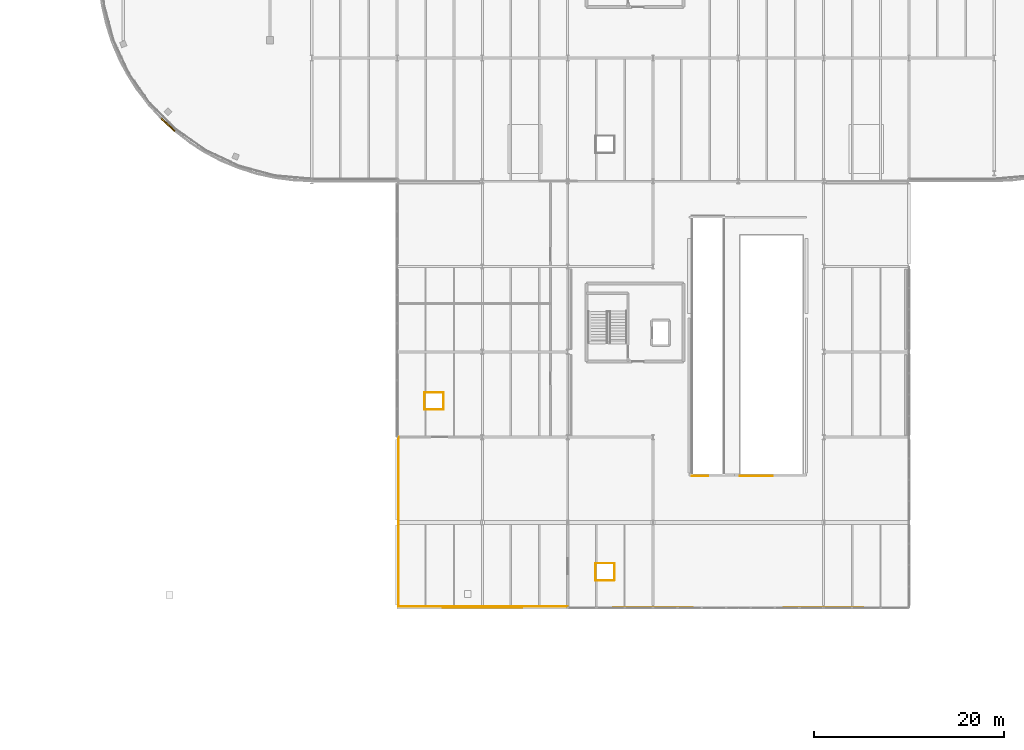
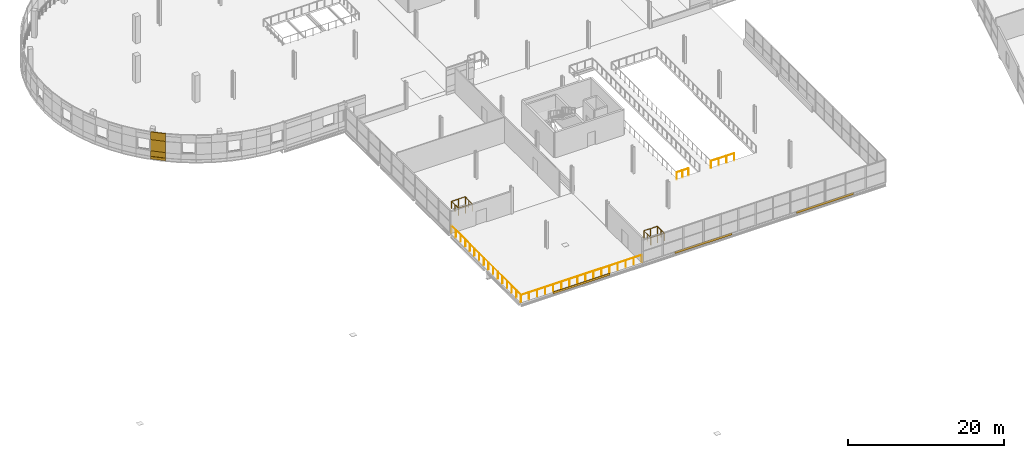
# One storey, part 76 of 88: 7 coverings, 7 railings.
"""IFC4 building model written with IfcOpenShell, lengths in metres."""

from ifc_helpers import new_model, si_unit, direction, frame, origin, origin_2d, place, context, subcontext, project, spatial, rectangle, circle, extrude, material, layer, layer_set, type_object, element, save


model = new_model("IFC4")

# Units and contexts
model_context = context("Model", 3, precision=1e-05, world=origin(), true_north=direction((0.0, 1.0)))
body_context = subcontext(model_context, "Body", "Model", "MODEL_VIEW")
ifc_project = project(units=[si_unit("LENGTHUNIT", "METRE"), si_unit("AREAUNIT", "SQUARE_METRE"), si_unit("VOLUMEUNIT", "CUBIC_METRE"), si_unit("PLANEANGLEUNIT", "RADIAN"), si_unit("MASSUNIT", "GRAM", prefix="KILO")], contexts=[model_context])

# Site, building, storey
site_placement = place(None, origin())
site = spatial("IfcSite", under=ifc_project, at=site_placement, CompositionType="ELEMENT")
building_placement = place(site_placement, origin())
building = spatial("IfcBuilding", under=site, at=building_placement, Name="Deido Ridge Mobility Hub", CompositionType="ELEMENT")
storey_placement = place(building_placement, frame((0.0, 0.0, 16.800048828125)))
storey = spatial("IfcBuildingStorey", under=building, at=storey_placement, Name="L04", CompositionType="ELEMENT", Elevation=16.800048828125)

# Coverings
ifc_material_1 = material(Name="Powder-coated aluminium cladding EN AW-3003", Category="aluminium")
ifc_layer_1 = layer(ifc_material_1, 0.06494140625, Name="Powder-coated aluminium cladding EN AW-3003")
ifc_layer_set_1 = layer_set([ifc_layer_1], Name="Powder-coated aluminium cladding EN AW-3003")
covering_type_1 = type_object("IfcCoveringType", Name="COV-ALU-CLAD-65", PredefinedType="CLADDING", material=ifc_layer_set_1)
for number, where, z_axis, x_axis, name in (
    (1, (63.0, 36.02001953125, -0.27001953125), (0.0, 0.0, 1.0), (1.0, 0.0, 0.0), "Sports deck fascia cladding AC1"),
    (2, (81.0, 36.02001953125, -0.27001953125), (0.0, 0.0, 1.0), (1.0, 0.0, 0.0), "Sports deck fascia cladding AC1"),
    (3, (99.0, 36.02001953125, -0.27001953125), (0.0, 0.0, 1.0), (1.0, 0.0, 0.0), "Sports deck fascia cladding AC1"),
):
    element("IfcCovering", number, at=place(storey_placement, frame(where, z_axis=z_axis, x_axis=x_axis)), inside=storey, type_object=covering_type_1, Name=name, PredefinedType="CLADDING", context=body_context, shape_type="SweptSolid", body=[
        extrude(rectangle(XDim=8.39990234375, YDim=0.06494140625, at=origin_2d()), origin(), (0.0, 0.0, 1.0), 0.340087890625),
    ])
ifc_material_2 = material(Name="Fired clay brick masonry", Category="masonry")
ifc_layer_2 = layer(ifc_material_2, 0.114990234375, Name="Fired clay brick masonry")
ifc_layer_set_2 = layer_set([ifc_layer_2], Name="Fired clay brick masonry")
covering_type_2 = type_object("IfcCoveringType", Name="COV-BRK-SCREEN-115", PredefinedType="CLADDING", material=ifc_layer_set_2)
covering_1_placement = place(storey_placement, frame((29.84912109375, 86.9658203125, 0.0), z_axis=(0.0, 0.0, 1.0), x_axis=(0.737289127971, -0.675577339596, 0.0)))
element("IfcCovering", 4, at=covering_1_placement, inside=storey, type_object=covering_type_2, Name="Open brickwork spandrel course BKS1 (L04)", PredefinedType="CLADDING", context=body_context, shape_type="SweptSolid", body=[
    extrude(rectangle(XDim=1.9619140625, YDim=0.125, at=origin_2d()), origin(), (0.0, 0.0, 1.0), 1.25),
])
covering_2_placement = place(storey_placement, frame((29.83056640625, 86.9453125, 0.0), z_axis=(0.0, 0.0, 1.0), x_axis=(0.737289127971, -0.675577339596, 0.0)))
element("IfcCovering", 5, at=covering_2_placement, inside=storey, type_object=covering_type_2, Name="Raised brick relief belt BKS1 (L04)", PredefinedType="CLADDING", context=body_context, shape_type="SweptSolid", body=[
    extrude(rectangle(XDim=1.9619140625, YDim=0.179931640625, at=origin_2d()), origin(), (0.0, 0.0, 1.0), 0.39990234375),
])
covering_3_placement = place(storey_placement, frame((29.84912109375, 86.9658203125, 3.0), z_axis=(0.0, 0.0, 1.0), x_axis=(0.737289127971, -0.675577339596, 0.0)))
element("IfcCovering", 6, at=covering_3_placement, inside=storey, type_object=covering_type_2, Name="Open brickwork lintel course BKS1 (L04)", PredefinedType="CLADDING", context=body_context, shape_type="SweptSolid", body=[
    extrude(rectangle(XDim=1.9619140625, YDim=0.125, at=origin_2d()), origin(), (0.0, 0.0, 1.0), 1.199951171875),
])
covering_4_placement = place(storey_placement, frame((29.84912109375, 86.9658203125, 1.25), z_axis=(0.0, 0.0, 1.0), x_axis=(0.737289127971, -0.675577339596, 0.0)))
element("IfcCovering", 7, at=covering_4_placement, inside=storey, type_object=covering_type_2, Name="Curved raised brickwork pier BKS1 (L04)", PredefinedType="CLADDING", context=body_context, shape_type="SweptSolid", body=[
    extrude(rectangle(XDim=1.9619140625, YDim=0.125, at=origin_2d()), origin(), (0.0, 0.0, 1.0), 1.75),
])

# Railings
ifc_material_3 = material(Name="Galvanised steel work", Category="steel")
railing_type = type_object("IfcRailingType", Name="RL-GRD-EXT-1150", PredefinedType="GUARDRAIL", material=ifc_material_3)
railing_1_placement = place(storey_placement, frame((72.0, 36.14990234375, 0.0)))
element("IfcRailing", 8, at=railing_1_placement, inside=storey, type_object=railing_type, Name="Outdoor sport court perimeter guard GR1", PredefinedType="GUARDRAIL", context=body_context, shape_type="SweptSolid", body=[
    extrude(circle(Radius=0.02392578125, at=origin_2d()), frame((0.0, 0.0, 1.1259765625), z_axis=(-1.0, 0.0, 0.0), x_axis=(0.0, -1.0, 0.0)), (0.0, 0.0, 1.0), 17.85009765625),
    extrude(circle(Radius=0.02392578125, at=origin_2d()), frame((-17.85009765625, 0.0, 1.1259765625), z_axis=(0.0, 1.0, 0.0), x_axis=(-1.0, 0.0, 0.0)), (0.0, 0.0, 1.0), 17.85009765625),
    extrude(circle(Radius=0.02099609375, at=origin_2d()), origin(), (0.0, 0.0, 1.0), 1.101806640625),
    extrude(circle(Radius=0.02099609375, at=origin_2d()), frame((-1.18994140625, 0.0, 0.0)), (0.0, 0.0, 1.0), 1.101806640625),
    extrude(circle(Radius=0.02099609375, at=origin_2d()), frame((-2.380126953125, 0.0, 0.0)), (0.0, 0.0, 1.0), 1.101806640625),
    extrude(circle(Radius=0.02099609375, at=origin_2d()), frame((-3.570068359375, 0.0, 0.0)), (0.0, 0.0, 1.0), 1.101806640625),
    extrude(circle(Radius=0.02099609375, at=origin_2d()), frame((-4.760009765625, 0.0, 0.0)), (0.0, 0.0, 1.0), 1.101806640625),
    extrude(circle(Radius=0.02099609375, at=origin_2d()), frame((-5.949951171875, 0.0, 0.0)), (0.0, 0.0, 1.0), 1.101806640625),
    extrude(circle(Radius=0.02099609375, at=origin_2d()), frame((-7.14013671875, 0.0, 0.0)), (0.0, 0.0, 1.0), 1.101806640625),
    extrude(circle(Radius=0.02099609375, at=origin_2d()), frame((-8.330078125, 0.0, 0.0)), (0.0, 0.0, 1.0), 1.101806640625),
    extrude(circle(Radius=0.02099609375, at=origin_2d()), frame((-9.52001953125, 0.0, 0.0)), (0.0, 0.0, 1.0), 1.101806640625),
    extrude(circle(Radius=0.02099609375, at=origin_2d()), frame((-10.7099609375, 0.0, 0.0)), (0.0, 0.0, 1.0), 1.101806640625),
    extrude(circle(Radius=0.02099609375, at=origin_2d()), frame((-11.900146484375, 0.0, 0.0)), (0.0, 0.0, 1.0), 1.101806640625),
    extrude(circle(Radius=0.02099609375, at=origin_2d()), frame((-13.090087890625, 0.0, 0.0)), (0.0, 0.0, 1.0), 1.101806640625),
    extrude(circle(Radius=0.02099609375, at=origin_2d()), frame((-14.280029296875, 0.0, 0.0)), (0.0, 0.0, 1.0), 1.101806640625),
    extrude(circle(Radius=0.02099609375, at=origin_2d()), frame((-15.469970703125, 0.0, 0.0)), (0.0, 0.0, 1.0), 1.101806640625),
    extrude(circle(Radius=0.02099609375, at=origin_2d()), frame((-16.66015625, 0.0, 0.0)), (0.0, 0.0, 1.0), 1.101806640625),
    extrude(circle(Radius=0.02099609375, at=origin_2d()), frame((-17.85009765625, 0.0, 0.0)), (0.0, 0.0, 1.0), 1.101806640625),
    extrude(circle(Radius=0.02099609375, at=origin_2d()), frame((-17.85009765625, 1.18994140625, 0.0)), (0.0, 0.0, 1.0), 1.101806640625),
    extrude(circle(Radius=0.02099609375, at=origin_2d()), frame((-17.85009765625, 2.380126953125, 0.0)), (0.0, 0.0, 1.0), 1.101806640625),
    extrude(circle(Radius=0.02099609375, at=origin_2d()), frame((-17.85009765625, 3.570068359375, 0.0)), (0.0, 0.0, 1.0), 1.101806640625),
    extrude(circle(Radius=0.02099609375, at=origin_2d()), frame((-17.85009765625, 4.760009765625, 0.0)), (0.0, 0.0, 1.0), 1.101806640625),
    extrude(circle(Radius=0.02099609375, at=origin_2d()), frame((-17.85009765625, 5.949951171875, 0.0)), (0.0, 0.0, 1.0), 1.101806640625),
    extrude(circle(Radius=0.02099609375, at=origin_2d()), frame((-17.85009765625, 7.14013671875, 0.0)), (0.0, 0.0, 1.0), 1.101806640625),
    extrude(circle(Radius=0.02099609375, at=origin_2d()), frame((-17.85009765625, 8.330078125, 0.0)), (0.0, 0.0, 1.0), 1.101806640625),
    extrude(circle(Radius=0.02099609375, at=origin_2d()), frame((-17.85009765625, 9.52001953125, 0.0)), (0.0, 0.0, 1.0), 1.101806640625),
    extrude(circle(Radius=0.02099609375, at=origin_2d()), frame((-17.85009765625, 10.7099609375, 0.0)), (0.0, 0.0, 1.0), 1.101806640625),
    extrude(circle(Radius=0.02099609375, at=origin_2d()), frame((-17.85009765625, 11.900146484375, 0.0)), (0.0, 0.0, 1.0), 1.101806640625),
    extrude(circle(Radius=0.02099609375, at=origin_2d()), frame((-17.85009765625, 13.090087890625, 0.0)), (0.0, 0.0, 1.0), 1.101806640625),
    extrude(circle(Radius=0.02099609375, at=origin_2d()), frame((-17.85009765625, 14.280029296875, 0.0)), (0.0, 0.0, 1.0), 1.101806640625),
    extrude(circle(Radius=0.02099609375, at=origin_2d()), frame((-17.85009765625, 15.469970703125, 0.0)), (0.0, 0.0, 1.0), 1.101806640625),
    extrude(circle(Radius=0.02099609375, at=origin_2d()), frame((-17.85009765625, 16.66015625, 0.0)), (0.0, 0.0, 1.0), 1.101806640625),
    extrude(circle(Radius=0.02099609375, at=origin_2d()), frame((-17.85009765625, 17.85009765625, 0.0)), (0.0, 0.0, 1.0), 1.101806640625),
])
railing_2_placement = place(storey_placement, frame((90.14990234375, 49.89990234375, 0.0)))
element("IfcRailing", 9, at=railing_2_placement, inside=storey, type_object=railing_type, Name="L04 vehicle ramp well head guard", PredefinedType="GUARDRAIL", context=body_context, shape_type="SweptSolid", body=[
    extrude(circle(Radius=0.02392578125, at=origin_2d()), frame((0.0, 0.0, 1.1259765625), z_axis=(1.0, 0.0, 0.0), x_axis=(0.0, 1.0, 0.0)), (0.0, 0.0, 1.0), 3.4501953125),
    extrude(circle(Radius=0.02099609375, at=origin_2d()), origin(), (0.0, 0.0, 1.0), 1.101806640625),
    extrude(circle(Radius=0.02099609375, at=origin_2d()), frame((1.150146484375, 0.0, 0.0)), (0.0, 0.0, 1.0), 1.101806640625),
    extrude(circle(Radius=0.02099609375, at=origin_2d()), frame((2.300048828125, 0.0, 0.0)), (0.0, 0.0, 1.0), 1.101806640625),
    extrude(circle(Radius=0.02099609375, at=origin_2d()), frame((3.4501953125, 0.0, 0.0)), (0.0, 0.0, 1.0), 1.101806640625),
])
railing_3_placement = place(storey_placement, frame((85.10009765625, 49.89990234375, 0.0)))
element("IfcRailing", 10, at=railing_3_placement, inside=storey, type_object=railing_type, Name="L04 cycle ramp well head guard", PredefinedType="GUARDRAIL", context=body_context, shape_type="SweptSolid", body=[
    extrude(circle(Radius=0.02392578125, at=origin_2d()), frame((0.0, 0.0, 1.1259765625), z_axis=(1.0, 0.0, 0.0), x_axis=(0.0, 1.0, 0.0)), (0.0, 0.0, 1.0), 1.719970703125),
    extrude(circle(Radius=0.02099609375, at=origin_2d()), origin(), (0.0, 0.0, 1.0), 1.101806640625),
    extrude(circle(Radius=0.02099609375, at=origin_2d()), frame((0.85986328125, 0.0, 0.0)), (0.0, 0.0, 1.0), 1.101806640625),
    extrude(circle(Radius=0.02099609375, at=origin_2d()), frame((1.719970703125, 0.0, 0.0)), (0.0, 0.0, 1.0), 1.101806640625),
])
railing_4_placement = place(storey_placement, frame((74.925048828125, 38.89990234375, 0.0)))
element("IfcRailing", 11, at=railing_4_placement, inside=storey, type_object=railing_type, Name="Service riser shaft guard (L04) A", PredefinedType="GUARDRAIL", context=body_context, shape_type="SweptSolid", body=[
    extrude(circle(Radius=0.02392578125, at=origin_2d()), frame((0.0, 0.0, 1.1259765625), z_axis=(1.0, 0.0, 0.0), x_axis=(0.0, 1.0, 0.0)), (0.0, 0.0, 1.0), 2.0),
    extrude(circle(Radius=0.02392578125, at=origin_2d()), frame((2.0, 0.0, 1.1259765625), z_axis=(0.0, 1.0, 0.0), x_axis=(-1.0, 0.0, 0.0)), (0.0, 0.0, 1.0), 1.739990234375),
    extrude(circle(Radius=0.02099609375, at=origin_2d()), origin(), (0.0, 0.0, 1.0), 1.101806640625),
    extrude(circle(Radius=0.02099609375, at=origin_2d()), frame((1.0, 0.0, 0.0)), (0.0, 0.0, 1.0), 1.101806640625),
    extrude(circle(Radius=0.02099609375, at=origin_2d()), frame((2.0, 0.0, 0.0)), (0.0, 0.0, 1.0), 1.101806640625),
    extrude(circle(Radius=0.02099609375, at=origin_2d()), frame((2.0, 0.8701171875, 0.0)), (0.0, 0.0, 1.0), 1.101806640625),
    extrude(circle(Radius=0.02099609375, at=origin_2d()), frame((2.0, 1.739990234375, 0.0)), (0.0, 0.0, 1.0), 1.101806640625),
])
railing_5_placement = place(storey_placement, frame((76.925048828125, 40.699951171875, 0.0)))
element("IfcRailing", 12, at=railing_5_placement, inside=storey, type_object=railing_type, Name="Service riser shaft guard (L04) B", PredefinedType="GUARDRAIL", context=body_context, shape_type="SweptSolid", body=[
    extrude(circle(Radius=0.02392578125, at=origin_2d()), frame((0.0, 0.0, 1.1259765625), z_axis=(-1.0, 0.0, 0.0), x_axis=(0.0, -1.0, 0.0)), (0.0, 0.0, 1.0), 2.0),
    extrude(circle(Radius=0.02392578125, at=origin_2d()), frame((-2.0, 0.0, 1.1259765625), z_axis=(0.0, -1.0, 0.0), x_axis=(1.0, 0.0, 0.0)), (0.0, 0.0, 1.0), 1.739990234375),
    extrude(circle(Radius=0.02099609375, at=origin_2d()), origin(), (0.0, 0.0, 1.0), 1.101806640625),
    extrude(circle(Radius=0.02099609375, at=origin_2d()), frame((-1.0, 0.0, 0.0)), (0.0, 0.0, 1.0), 1.101806640625),
    extrude(circle(Radius=0.02099609375, at=origin_2d()), frame((-2.0, 0.0, 0.0)), (0.0, 0.0, 1.0), 1.101806640625),
    extrude(circle(Radius=0.02099609375, at=origin_2d()), frame((-2.0, -0.8701171875, 0.0)), (0.0, 0.0, 1.0), 1.101806640625),
    extrude(circle(Radius=0.02099609375, at=origin_2d()), frame((-2.0, -1.739990234375, 0.0)), (0.0, 0.0, 1.0), 1.101806640625),
])
railing_6_placement = place(storey_placement, frame((56.89990234375, 56.89990234375, 0.0)))
element("IfcRailing", 13, at=railing_6_placement, inside=storey, type_object=railing_type, Name="Service riser shaft guard (L04) A", PredefinedType="GUARDRAIL", context=body_context, shape_type="SweptSolid", body=[
    extrude(circle(Radius=0.02392578125, at=origin_2d()), frame((0.0, 0.0, 1.1259765625), z_axis=(1.0, 0.0, 0.0), x_axis=(0.0, 1.0, 0.0)), (0.0, 0.0, 1.0), 2.0),
    extrude(circle(Radius=0.02392578125, at=origin_2d()), frame((2.0, 0.0, 1.1259765625), z_axis=(0.0, 1.0, 0.0), x_axis=(-1.0, 0.0, 0.0)), (0.0, 0.0, 1.0), 1.739990234375),
    extrude(circle(Radius=0.02099609375, at=origin_2d()), origin(), (0.0, 0.0, 1.0), 1.101806640625),
    extrude(circle(Radius=0.02099609375, at=origin_2d()), frame((1.0, 0.0, 0.0)), (0.0, 0.0, 1.0), 1.101806640625),
    extrude(circle(Radius=0.02099609375, at=origin_2d()), frame((2.0, 0.0, 0.0)), (0.0, 0.0, 1.0), 1.101806640625),
    extrude(circle(Radius=0.02099609375, at=origin_2d()), frame((2.0, 0.8701171875, 0.0)), (0.0, 0.0, 1.0), 1.101806640625),
    extrude(circle(Radius=0.02099609375, at=origin_2d()), frame((2.0, 1.739990234375, 0.0)), (0.0, 0.0, 1.0), 1.101806640625),
])
railing_7_placement = place(storey_placement, frame((58.89990234375, 58.699951171875, 0.0)))
element("IfcRailing", 14, at=railing_7_placement, inside=storey, type_object=railing_type, Name="Service riser shaft guard (L04) B", PredefinedType="GUARDRAIL", context=body_context, shape_type="SweptSolid", body=[
    extrude(circle(Radius=0.02392578125, at=origin_2d()), frame((0.0, 0.0, 1.1259765625), z_axis=(-1.0, 0.0, 0.0), x_axis=(0.0, -1.0, 0.0)), (0.0, 0.0, 1.0), 2.0),
    extrude(circle(Radius=0.02392578125, at=origin_2d()), frame((-2.0, 0.0, 1.1259765625), z_axis=(0.0, -1.0, 0.0), x_axis=(1.0, 0.0, 0.0)), (0.0, 0.0, 1.0), 1.739990234375),
    extrude(circle(Radius=0.02099609375, at=origin_2d()), origin(), (0.0, 0.0, 1.0), 1.101806640625),
    extrude(circle(Radius=0.02099609375, at=origin_2d()), frame((-1.0, 0.0, 0.0)), (0.0, 0.0, 1.0), 1.101806640625),
    extrude(circle(Radius=0.02099609375, at=origin_2d()), frame((-2.0, 0.0, 0.0)), (0.0, 0.0, 1.0), 1.101806640625),
    extrude(circle(Radius=0.02099609375, at=origin_2d()), frame((-2.0, -0.8701171875, 0.0)), (0.0, 0.0, 1.0), 1.101806640625),
    extrude(circle(Radius=0.02099609375, at=origin_2d()), frame((-2.0, -1.739990234375, 0.0)), (0.0, 0.0, 1.0), 1.101806640625),
])

save(model, "model.ifc")
